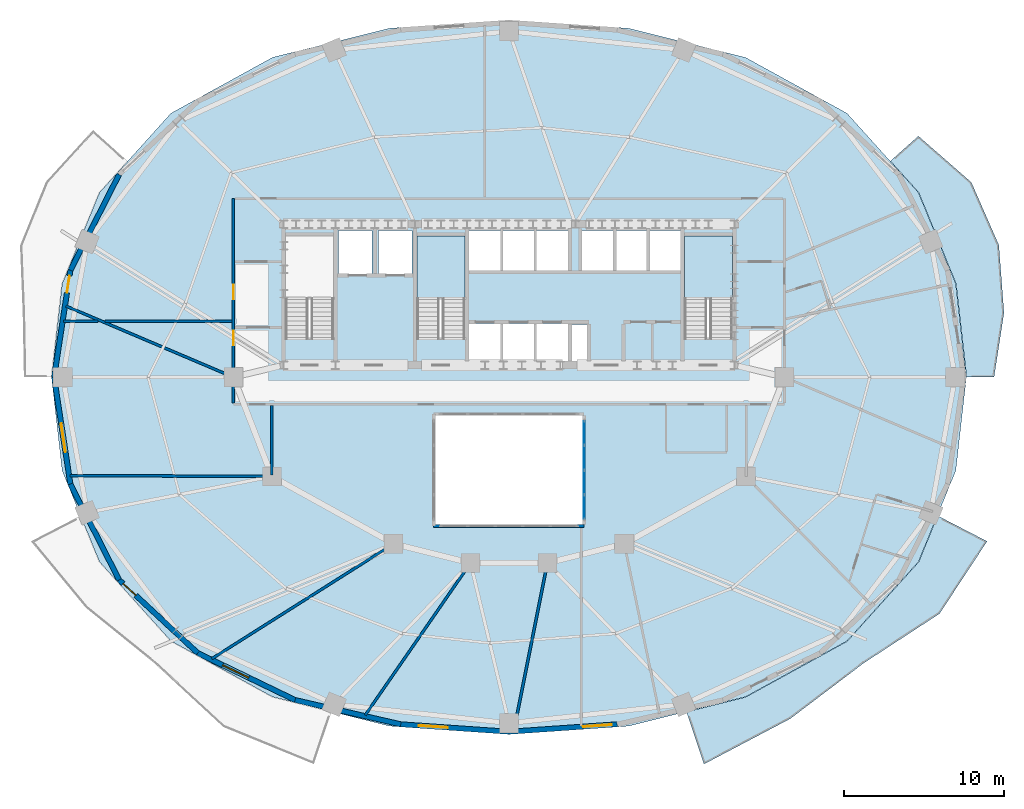
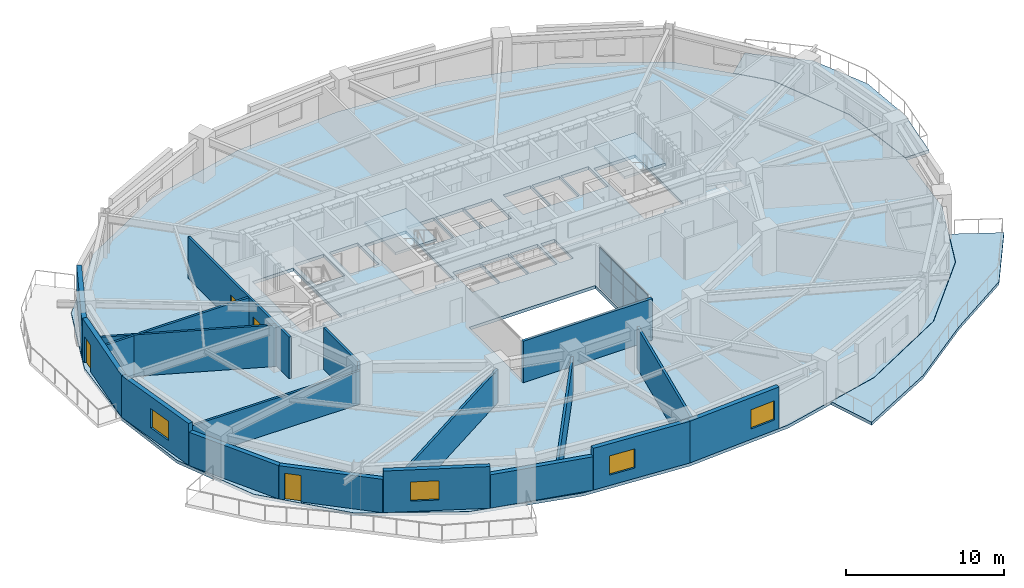
# One storey, part 6 of 12: 19 walls, 8 plates, 5 slabs, 4 doors, 4 windows, 8 openings, 3 elements without a shape of their own.
"""IFC4 building model written with IfcOpenShell, lengths in metres."""

from ifc_helpers import new_model, si_unit, direction, frame, frame_2d, origin, origin_2d, place, context, subcontext, project, spatial, polyline, rectangle, outline, extrude, material, layer, layer_set, type_object, element, fill, aggregate, save


model = new_model("IFC4")

# Units and contexts
model_context = context("Model", 3, precision=1e-05, world=origin(), true_north=direction((0.0, 1.0)))
body_context = subcontext(model_context, "Body", "Model", "MODEL_VIEW")
ifc_project = project(units=[si_unit("LENGTHUNIT", "METRE"), si_unit("AREAUNIT", "SQUARE_METRE"), si_unit("VOLUMEUNIT", "CUBIC_METRE"), si_unit("PLANEANGLEUNIT", "RADIAN"), si_unit("MASSUNIT", "GRAM", prefix="KILO")], contexts=[model_context])

# Site, building, storey
site_placement = place(None, origin())
site = spatial("IfcSite", under=ifc_project, at=site_placement, CompositionType="ELEMENT")
building_placement = place(site_placement, origin())
building = spatial("IfcBuilding", under=site, at=building_placement, Name="Haldorwick Loom Tower", CompositionType="ELEMENT")
storey_placement = place(building_placement, frame((0.0, 0.0, 110.449951171875)))
storey = spatial("IfcBuildingStorey", under=building, at=storey_placement, Name="L29", CompositionType="ELEMENT", Elevation=110.449951171875)

# Curtain wall, plates
ifc_material_1 = material(Name="Thermally Broken Anodized Aluminium Curtain Wall Framing", Category="aluminium")
curtain_wall_type = type_object("IfcCurtainWallType", Name="ARC-CW-03", PredefinedType="NOTDEFINED", material=ifc_material_1)
curtain_wall_placement = place(storey_placement, origin())
curtain_wall = element("IfcCurtainWall", 1, at=curtain_wall_placement, inside=storey, type_object=curtain_wall_type, Name="L29 Atrium Glazed Screen E", PredefinedType="NOTDEFINED")
ifc_material_2 = material(Name="Triple-Glazed Low-E Argon Insulated Glazing Unit", Category="glass")
ifc_layer_1 = layer(ifc_material_2, 0.04296875, Name="Triple-Glazed Low-E Argon Insulated Glazing Unit", Category="glass")
ifc_layer_set_1 = layer_set([ifc_layer_1], Name="Triple-Glazed Low-E Argon Insulated Glazing Unit")
plate_type = type_object("IfcPlateType", Name="ARC-CWP-03", PredefinedType="CURTAIN_PANEL", material=ifc_layer_set_1)
plate_1_placement = place(storey_placement, frame((40.699951171875, 22.508544921875, 0.066162109375), z_axis=(0.0, 0.0, 1.0), x_axis=(0.0, -1.0, 0.0)))
plate_1 = element("IfcPlate", 2, at=plate_1_placement, type_object=plate_type, Name="CW-03 panel 1.1", PredefinedType="CURTAIN_PANEL", context=body_context, shape_type="SweptSolid", body=[
    extrude(rectangle(XDim=1.450927734375, YDim=0.04296875, at=origin_2d()), origin(), (0.0, 0.0, 1.0), 1.90087890625),
])
plate_2_placement = place(storey_placement, frame((40.699951171875, 22.508544921875, 2.033203125), z_axis=(0.0, 0.0, 1.0), x_axis=(0.0, -1.0, 0.0)))
plate_2 = element("IfcPlate", 3, at=plate_2_placement, type_object=plate_type, Name="CW-03 panel 1.2", PredefinedType="CURTAIN_PANEL", context=body_context, shape_type="SweptSolid", body=[
    extrude(rectangle(XDim=1.450927734375, YDim=0.04296875, at=origin_2d()), origin(), (0.0, 0.0, 1.0), 1.111083984375),
])
plate_3_placement = place(storey_placement, frame((40.699951171875, 20.97509765625, 0.066162109375), z_axis=(0.0, 0.0, 1.0), x_axis=(0.0, -1.0, 0.0)))
plate_3 = element("IfcPlate", 4, at=plate_3_placement, type_object=plate_type, Name="CW-03 panel 2.1", PredefinedType="CURTAIN_PANEL", context=body_context, shape_type="SweptSolid", body=[
    extrude(rectangle(XDim=1.48388671875, YDim=0.04296875, at=origin_2d()), origin(), (0.0, 0.0, 1.0), 1.90087890625),
])
plate_4_placement = place(storey_placement, frame((40.699951171875, 20.97509765625, 2.033203125), z_axis=(0.0, 0.0, 1.0), x_axis=(0.0, -1.0, 0.0)))
plate_4 = element("IfcPlate", 5, at=plate_4_placement, type_object=plate_type, Name="CW-03 panel 2.2", PredefinedType="CURTAIN_PANEL", context=body_context, shape_type="SweptSolid", body=[
    extrude(rectangle(XDim=1.48388671875, YDim=0.04296875, at=origin_2d()), origin(), (0.0, 0.0, 1.0), 1.111083984375),
])
plate_5_placement = place(storey_placement, frame((40.699951171875, 19.425048828125, 0.066162109375), z_axis=(0.0, 0.0, 1.0), x_axis=(0.0, -1.0, 0.0)))
plate_5 = element("IfcPlate", 6, at=plate_5_placement, type_object=plate_type, Name="CW-03 panel 3.1", PredefinedType="CURTAIN_PANEL", context=body_context, shape_type="SweptSolid", body=[
    extrude(rectangle(XDim=1.48388671875, YDim=0.04296875, at=origin_2d()), origin(), (0.0, 0.0, 1.0), 1.90087890625),
])
plate_6_placement = place(storey_placement, frame((40.699951171875, 19.425048828125, 2.033203125), z_axis=(0.0, 0.0, 1.0), x_axis=(0.0, -1.0, 0.0)))
plate_6 = element("IfcPlate", 7, at=plate_6_placement, type_object=plate_type, Name="CW-03 panel 3.2", PredefinedType="CURTAIN_PANEL", context=body_context, shape_type="SweptSolid", body=[
    extrude(rectangle(XDim=1.48388671875, YDim=0.04296875, at=origin_2d()), origin(), (0.0, 0.0, 1.0), 1.111083984375),
])
plate_7_placement = place(storey_placement, frame((40.699951171875, 17.8916015625, 0.066162109375), z_axis=(0.0, 0.0, 1.0), x_axis=(0.0, -1.0, 0.0)))
plate_7 = element("IfcPlate", 8, at=plate_7_placement, type_object=plate_type, Name="CW-03 panel 4.1", PredefinedType="CURTAIN_PANEL", context=body_context, shape_type="SweptSolid", body=[
    extrude(rectangle(XDim=1.450927734375, YDim=0.04296875, at=origin_2d()), origin(), (0.0, 0.0, 1.0), 1.90087890625),
])
plate_8_placement = place(storey_placement, frame((40.699951171875, 17.8916015625, 2.033203125), z_axis=(0.0, 0.0, 1.0), x_axis=(0.0, -1.0, 0.0)))
plate_8 = element("IfcPlate", 9, at=plate_8_placement, type_object=plate_type, Name="CW-03 panel 4.2", PredefinedType="CURTAIN_PANEL", context=body_context, shape_type="SweptSolid", body=[
    extrude(rectangle(XDim=1.450927734375, YDim=0.04296875, at=origin_2d()), origin(), (0.0, 0.0, 1.0), 1.111083984375),
])
aggregate(curtain_wall, [plate_1, plate_2, plate_3, plate_4, plate_5, plate_6, plate_7, plate_8])

# Slabs
ifc_material_3 = material(Name="Concrete C40 (40 MPa)", Category="concrete")
ifc_layer_2 = layer(ifc_material_3, 0.239990234375, Name="Concrete C40 (40 MPa)", Category="concrete")
ifc_layer_set_2 = layer_set([ifc_layer_2], Name="Concrete C40 (40 MPa)")
slab_type_1 = type_object("IfcSlabType", Name="STR-SLB-BAL240", PredefinedType="FLOOR", material=ifc_layer_set_2)
slab_1_placement = place(storey_placement, frame((0.0, 0.0, -0.239990234375)))
element("IfcSlab", 10, at=slab_1_placement, inside=storey, type_object=slab_type_1, Name="L29 Sinusoidal Balcony Terrace BAL_SE", PredefinedType="FLOOR", context=body_context, shape_type="SweptSolid", body=[
    extrude(outline(polyline([(62.758544921875, 17.34814453125), (61.580078125, 14.468994140625), (61.579345703125, 14.4677734375), (61.578857421875, 14.466552734375), (61.578125, 14.465576171875), (61.5771484375, 14.464599609375), (57.11279296875, 9.51318359375), (57.11181640625, 9.51220703125), (57.1103515625, 9.510986328125), (57.10888671875, 9.51025390625), (50.767822265625, 6.0244140625), (50.7666015625, 6.023681640625), (50.765380859375, 6.023193359375), (50.76416015625, 6.022705078125), (47.08642578125, 5.10498046875), (48.174560546875, 1.84326171875), (53.555908203125, 4.676025390625), (58.164306640625, 8.16259765625), (62.8779296875, 11.235107421875), (65.848388671875, 15.751708984375), (62.758544921875, 17.34814453125)])), origin(), (0.0, 0.0, 1.0), 0.239990234375),
])
slab_2_placement = place(storey_placement, frame((0.0, 0.0, -0.239990234375)))
element("IfcSlab", 11, at=slab_2_placement, inside=storey, type_object=slab_type_1, Name="L29 Sinusoidal Balcony Terrace BAL_ENE", PredefinedType="FLOOR", context=body_context, shape_type="SweptSolid", body=[
    extrude(outline(polyline([(59.813720703125, 39.4912109375), (61.5771484375, 37.535400390625), (61.578125, 37.534423828125), (61.578857421875, 37.533447265625), (61.579345703125, 37.5322265625), (61.580078125, 37.531005859375), (63.90869140625, 31.841796875), (63.9091796875, 31.840576171875), (63.909423828125, 31.83935546875), (63.90966796875, 31.837890625), (64.572509765625, 26.001708984375), (64.572509765625, 26.0), (66.2841796875, 26.0), (66.90478515625, 30.026123046875), (66.58251953125, 34.246337890625), (64.864501953125, 38.163818359375), (61.560302734375, 41.05126953125), (59.813720703125, 39.4912109375)])), origin(), (0.0, 0.0, 1.0), 0.239990234375),
])

# Stair, slab
stair_type = type_object("IfcStairType", Name="STR-STR-CORE", PredefinedType="HALF_TURN_STAIR", material=ifc_material_3)
stair_1_placement = place(storey_placement, origin())
stair_1 = element("IfcStair", 12, at=stair_1_placement, inside=storey, type_object=stair_type, Name="L29 Exit Stair ST-02", PredefinedType="HALF_TURN_STAIR")
ifc_layer_3 = layer(ifc_material_3, 0.199951171875, Name="Concrete C40 (40 MPa)", Category="concrete")
ifc_layer_set_3 = layer_set([ifc_layer_3], Name="Concrete C40 (40 MPa)")
slab_type_2 = type_object("IfcSlabType", Name="STR-SLB-LAND200", PredefinedType="LANDING", material=ifc_layer_set_3)
slab_3_placement = place(storey_placement, frame((0.0, 0.0, 1.525146484375)))
slab_3 = element("IfcSlab", 13, at=slab_3_placement, type_object=slab_type_2, Name="ST-02 landing 1", PredefinedType="LANDING", context=body_context, shape_type="SweptSolid", body=[
    extrude(outline(polyline([(49.949951171875, 30.919921875), (49.949951171875, 34.800048828125), (46.949951171875, 34.800048828125), (46.949951171875, 30.919921875), (49.949951171875, 30.919921875)])), origin(), (0.0, 0.0, 1.0), 0.199951171875),
])
aggregate(stair_1, [slab_3])

stair_2_placement = place(storey_placement, origin())
stair_2 = element("IfcStair", 14, at=stair_2_placement, inside=storey, type_object=stair_type, Name="L29 Exit Stair ST-03", PredefinedType="HALF_TURN_STAIR")
slab_4_placement = place(storey_placement, frame((0.0, 0.0, 1.525146484375)))
slab_4 = element("IfcSlab", 15, at=slab_4_placement, type_object=slab_type_2, Name="ST-03 landing 1", PredefinedType="LANDING", context=body_context, shape_type="SweptSolid", body=[
    extrude(outline(polyline([(33.25, 30.919921875), (33.25, 34.800048828125), (30.25, 34.800048828125), (30.25, 30.919921875), (33.25, 30.919921875)])), origin(), (0.0, 0.0, 1.0), 0.199951171875),
])
aggregate(stair_2, [slab_4])

# Slab
ifc_layer_4 = layer(ifc_material_3, 0.239990234375, Name="Concrete C40 (40 MPa)", Category="concrete")
ifc_layer_set_4 = layer_set([ifc_layer_4], Name="Concrete C40 (40 MPa)")
slab_type_3 = type_object("IfcSlabType", Name="STR-SLB-RES240", PredefinedType="FLOOR", material=ifc_layer_set_4)
slab_5_placement = place(storey_placement, frame((0.0, 0.0, -0.239990234375)))
element("IfcSlab", 16, at=slab_5_placement, inside=storey, type_object=slab_type_3, Name="L29 Residential Structural Floor Slab", PredefinedType="FLOOR", context=body_context, shape_type="SweptSolid", body=[
    extrude(outline(polyline([(57.101806640625, 9.523193359375), (61.566162109375, 14.474609375), (63.894775390625, 20.163818359375), (64.5576171875, 26.0), (63.894775390625, 31.836181640625), (61.566162109375, 37.525390625), (57.101806640625, 42.476806640625), (50.760498046875, 45.962646484375), (43.474365234375, 47.781005859375), (36.0, 48.29833984375), (28.525634765625, 47.781005859375), (21.239501953125, 45.962646484375), (14.898193359375, 42.476806640625), (10.433837890625, 37.525390625), (8.105224609375, 31.836181640625), (7.4423828125, 26.0), (8.105224609375, 20.163818359375), (10.433837890625, 14.474609375), (14.898193359375, 9.523193359375), (21.239501953125, 6.037353515625), (28.525634765625, 4.218994140625), (36.0, 3.70166015625), (43.474365234375, 4.218994140625), (50.760498046875, 6.037353515625), (57.101806640625, 9.523193359375)]), holes=[polyline([(31.39990234375, 23.60009765625), (40.60009765625, 23.60009765625), (40.60009765625, 16.800048828125), (31.39990234375, 16.800048828125), (31.39990234375, 23.60009765625)]), polyline([(33.5, 26.85009765625), (33.5, 29.35009765625), (35.5, 29.35009765625), (35.5, 26.85009765625), (33.5, 26.85009765625)]), polyline([(22.050048828125, 28.39990234375), (22.050048828125, 34.800048828125), (25.050048828125, 34.800048828125), (25.050048828125, 28.639892578125), (23.6201171875, 28.639892578125), (23.6201171875, 28.39990234375), (22.050048828125, 28.39990234375)]), polyline([(30.25, 28.39990234375), (30.25, 34.800048828125), (33.25, 34.800048828125), (33.25, 28.639892578125), (31.820068359375, 28.639892578125), (31.820068359375, 28.39990234375), (30.25, 28.39990234375)]), polyline([(25.35009765625, 32.449951171875), (25.35009765625, 35.14990234375), (27.449951171875, 35.14990234375), (27.449951171875, 32.449951171875), (25.35009765625, 32.449951171875)]), polyline([(27.85009765625, 32.449951171875), (27.85009765625, 35.14990234375), (29.949951171875, 35.14990234375), (29.949951171875, 32.449951171875), (27.85009765625, 32.449951171875)]), polyline([(33.5, 32.64990234375), (33.5, 35.14990234375), (35.5, 35.14990234375), (35.5, 32.64990234375), (33.5, 32.64990234375)]), polyline([(35.60009765625, 32.64990234375), (35.60009765625, 35.14990234375), (37.60009765625, 35.14990234375), (37.60009765625, 32.64990234375), (35.60009765625, 32.64990234375)]), polyline([(35.60009765625, 26.85009765625), (35.60009765625, 29.35009765625), (37.60009765625, 29.35009765625), (37.60009765625, 26.85009765625), (35.60009765625, 26.85009765625)]), polyline([(37.699951171875, 26.85009765625), (37.699951171875, 29.35009765625), (39.699951171875, 29.35009765625), (39.699951171875, 26.85009765625), (37.699951171875, 26.85009765625)]), polyline([(39.89990234375, 26.89990234375), (39.89990234375, 29.300048828125), (40.89990234375, 29.300048828125), (40.89990234375, 26.89990234375), (39.89990234375, 26.89990234375)]), polyline([(46.949951171875, 28.39990234375), (46.949951171875, 34.800048828125), (49.949951171875, 34.800048828125), (49.949951171875, 28.639892578125), (48.52001953125, 28.639892578125), (48.52001953125, 28.39990234375), (46.949951171875, 28.39990234375)]), polyline([(37.699951171875, 32.64990234375), (37.699951171875, 35.14990234375), (39.699951171875, 35.14990234375), (39.699951171875, 32.64990234375), (37.699951171875, 32.64990234375)]), polyline([(40.550048828125, 32.64990234375), (40.550048828125, 35.14990234375), (42.550048828125, 35.14990234375), (42.550048828125, 32.64990234375), (40.550048828125, 32.64990234375)]), polyline([(42.64990234375, 32.64990234375), (42.64990234375, 35.14990234375), (44.64990234375, 35.14990234375), (44.64990234375, 32.64990234375), (42.64990234375, 32.64990234375)]), polyline([(44.75, 32.64990234375), (44.75, 35.14990234375), (46.75, 35.14990234375), (46.75, 32.64990234375), (44.75, 32.64990234375)])]), origin(), (0.0, 0.0, 1.0), 0.239990234375),
])

# Wall
ifc_material_4 = material(Name="Pressed Clay Face Brick and Insulated Masonry Backup Assembly", Category="masonry")
ifc_layer_5 = layer(ifc_material_4, 0.320068359375, Name="Pressed Clay Face Brick and Insulated Masonry Backup Assembly", Category="masonry")
ifc_layer_set_5 = layer_set([ifc_layer_5], Name="Pressed Clay Face Brick and Insulated Masonry Backup Assembly")
wall_type_1 = type_object("IfcWallType", Name="ARC-WL-EXT320", PredefinedType="STANDARD", material=ifc_layer_set_5)
wall_1_placement = place(storey_placement, frame((11.661376953125, 38.655517578125, 0.0), z_axis=(0.0, 0.0, 1.0), x_axis=(-0.453374078001, -0.89132033826, 0.0)))
element("IfcWall", 17, at=wall_1_placement, inside=storey, type_object=wall_type_1, Name="L29 Brick Pier and Spandrel Wall 11", PredefinedType="STANDARD", context=body_context, shape_type="SweptSolid", body=[
    extrude(rectangle(XDim=6.709716796875, YDim=0.320068359375, at=frame_2d((3.35498046875, 0.0))), origin(), (0.0, 0.0, 1.0), 2.569091796875),
])

# Wall, opening, door
wall_2_placement = place(storey_placement, frame((8.619384765625, 32.675048828125, 0.0), z_axis=(0.0, 0.0, 1.0), x_axis=(-0.150633288003, -0.988589708901, 0.0)))
wall_2 = element("IfcWall", 18, at=wall_2_placement, inside=storey, type_object=wall_type_1, Name="L29 Brick Pier and Spandrel Wall 12", PredefinedType="STANDARD", context=body_context, shape_type="SweptSolid", body=[
    extrude(rectangle(XDim=6.752197265625, YDim=0.320068359375, at=frame_2d((3.3759765625, 0.0))), origin(), (0.0, 0.0, 1.0), 3.2099609375),
])
opening_1_placement = place(wall_2_placement, frame((0.340087890625, 0.0, 0.0)))
opening_1 = element("IfcOpeningElement", 19, at=opening_1_placement, cuts=wall_2, Name="Opening D-BL11", PredefinedType="OPENING", context=body_context, shape_type="SweptSolid", body=[
    extrude(rectangle(XDim=1.080078125, YDim=2.0400390625, at=frame_2d((0.5400390625, 1.02001953125))), frame((0.0, 0.169921875, 0.0), z_axis=(0.0, -1.0, 0.0), x_axis=(1.0, 0.0, 0.0)), (0.0, 0.0, 1.0), 0.340087890625),
])
door_type_1 = type_object("IfcDoorType", Name="ARC-DR-BAL110", OperationType="NOTDEFINED", PredefinedType="DOOR", material=ifc_material_1)
door_1_placement = place(opening_1_placement, origin())
door_1 = element("IfcDoor", 20, at=door_1_placement, inside=storey, type_object=door_type_1, Name="L29 Outdoor Terrace Door SLB-L29-BAL_WNW", OperationType="SINGLE_SWING_RIGHT", OverallHeight=2.0400390625, OverallWidth=1.080078125, PredefinedType="DOOR", context=body_context, shape_type="SweptSolid", body=[
    extrude(rectangle(XDim=1.080078125, YDim=2.0400390625, at=frame_2d((0.5400390625, 1.02001953125))), frame((0.0, 0.02490234375, 0.0), z_axis=(0.0, -1.0, 0.0), x_axis=(1.0, 0.0, 0.0)), (0.0, 0.0, 1.0), 0.050048828125),
])
fill(opening_1, door_1)

# Wall, opening, window
wall_3_placement = place(storey_placement, frame((7.602294921875, 26.0, 0.0), z_axis=(0.0, 0.0, 1.0), x_axis=(0.150633288003, -0.988589708901, 0.0)))
wall_3 = element("IfcWall", 21, at=wall_3_placement, inside=storey, type_object=wall_type_1, Name="L29 Brick Pier and Spandrel Wall 13", PredefinedType="STANDARD", context=body_context, shape_type="SweptSolid", body=[
    extrude(rectangle(XDim=6.752197265625, YDim=0.320068359375, at=frame_2d((3.3759765625, 0.0))), origin(), (0.0, 0.0, 1.0), 3.2099609375),
])
opening_2_placement = place(wall_3_placement, frame((2.92724609375, 0.0, 0.800048828125)))
opening_2 = element("IfcOpeningElement", 22, at=opening_2_placement, cuts=wall_3, Name="Opening W-01", PredefinedType="OPENING", context=body_context, shape_type="SweptSolid", body=[
    extrude(rectangle(XDim=1.800048828125, YDim=1.47998046875, at=frame_2d((0.89990234375, 0.739990234375))), frame((0.0, 0.169921875, 0.0), z_axis=(0.0, -1.0, 0.0), x_axis=(1.0, 0.0, 0.0)), (0.0, 0.0, 1.0), 0.340087890625),
])
window_type = type_object("IfcWindowType", Name="ARC-WIN-W180", PartitioningType="SINGLE_PANEL", PredefinedType="WINDOW", material=ifc_material_2)
window_1_placement = place(opening_2_placement, origin())
window_1 = element("IfcWindow", 23, at=window_1_placement, inside=storey, type_object=window_type, Name="L29 Deep-Set Zone 7A Window 13", OverallHeight=1.47998046875, OverallWidth=1.800048828125, PartitioningType="SINGLE_PANEL", PredefinedType="WINDOW", context=body_context, shape_type="SweptSolid", body=[
    extrude(rectangle(XDim=1.800048828125, YDim=1.47998046875, at=frame_2d((0.89990234375, 0.739990234375))), frame((0.0, 0.030029296875, 0.0), z_axis=(0.0, -1.0, 0.0), x_axis=(1.0, 0.0, 0.0)), (0.0, 0.0, 1.0), 0.06005859375),
])
fill(opening_2, window_1)

# Wall
wall_4_placement = place(storey_placement, frame((8.619384765625, 19.324951171875, 0.0), z_axis=(0.0, 0.0, 1.0), x_axis=(0.453374078001, -0.89132033826, 0.0)))
element("IfcWall", 24, at=wall_4_placement, inside=storey, type_object=wall_type_1, Name="L29 Brick Pier and Spandrel Wall 14", PredefinedType="STANDARD", context=body_context, shape_type="SweptSolid", body=[
    extrude(rectangle(XDim=6.709716796875, YDim=0.320068359375, at=frame_2d((3.35498046875, 0.0))), origin(), (0.0, 0.0, 1.0), 2.569091796875),
])

# Wall, opening, door
wall_5_placement = place(storey_placement, frame((11.661376953125, 13.344482421875, 0.0), z_axis=(0.0, 0.0, 1.0), x_axis=(0.732137360086, -0.681157020052, 0.0)))
wall_5 = element("IfcWall", 25, at=wall_5_placement, inside=storey, type_object=wall_type_1, Name="L29 Brick Pier and Spandrel Wall 15", PredefinedType="STANDARD", context=body_context, shape_type="SweptSolid", body=[
    extrude(rectangle(XDim=6.709228515625, YDim=0.320068359375, at=frame_2d((3.3544921875, 0.0))), origin(), (0.0, 0.0, 1.0), 2.569091796875),
])
opening_3_placement = place(wall_5_placement, frame((0.340087890625, 0.0, 0.0)))
opening_3 = element("IfcOpeningElement", 26, at=opening_3_placement, cuts=wall_5, Name="Opening D-BL11", PredefinedType="OPENING", context=body_context, shape_type="SweptSolid", body=[
    extrude(rectangle(XDim=1.080078125, YDim=2.0400390625, at=frame_2d((0.5400390625, 1.02001953125))), frame((0.0, 0.169921875, 0.0), z_axis=(0.0, -1.0, 0.0), x_axis=(1.0, 0.0, 0.0)), (0.0, 0.0, 1.0), 0.340087890625),
])
door_2_placement = place(opening_3_placement, origin())
door_2 = element("IfcDoor", 27, at=door_2_placement, inside=storey, type_object=door_type_1, Name="L29 Outdoor Terrace Door SLB-L29-BAL_SW", OperationType="SINGLE_SWING_LEFT", OverallHeight=2.0400390625, OverallWidth=1.080078125, PredefinedType="DOOR", context=body_context, shape_type="SweptSolid", body=[
    extrude(rectangle(XDim=1.080078125, YDim=2.0400390625, at=frame_2d((0.5400390625, 1.02001953125))), frame((0.0, 0.02490234375, 0.0), z_axis=(0.0, -1.0, 0.0), x_axis=(1.0, 0.0, 0.0)), (0.0, 0.0, 1.0), 0.050048828125),
])
fill(opening_3, door_2)

# Wall, opening, window
wall_6_placement = place(storey_placement, frame((16.573486328125, 8.7744140625, 0.0), z_axis=(0.0, 0.0, 1.0), x_axis=(0.900510094661, -0.434835106004, 0.0)))
wall_6 = element("IfcWall", 28, at=wall_6_placement, inside=storey, type_object=wall_type_1, Name="L29 Brick Pier and Spandrel Wall 16", PredefinedType="STANDARD", context=body_context, shape_type="SweptSolid", body=[
    extrude(rectangle(XDim=6.744873046875, YDim=0.320068359375, at=frame_2d((3.37255859375, 0.0))), origin(), (0.0, 0.0, 1.0), 3.2099609375),
])
opening_4_placement = place(wall_6_placement, frame((1.7216796875, 0.0, 0.800048828125)))
opening_4 = element("IfcOpeningElement", 29, at=opening_4_placement, cuts=wall_6, Name="Opening W-01", PredefinedType="OPENING", context=body_context, shape_type="SweptSolid", body=[
    extrude(rectangle(XDim=1.800048828125, YDim=1.47998046875, at=frame_2d((0.89990234375, 0.739990234375))), frame((0.0, 0.169921875, 0.0), z_axis=(0.0, -1.0, 0.0), x_axis=(1.0, 0.0, 0.0)), (0.0, 0.0, 1.0), 0.340087890625),
])
window_2_placement = place(opening_4_placement, origin())
window_2 = element("IfcWindow", 30, at=window_2_placement, inside=storey, type_object=window_type, Name="L29 Deep-Set Zone 7A Window 16", OverallHeight=1.47998046875, OverallWidth=1.800048828125, PartitioningType="SINGLE_PANEL", PredefinedType="WINDOW", context=body_context, shape_type="SweptSolid", body=[
    extrude(rectangle(XDim=1.800048828125, YDim=1.47998046875, at=frame_2d((0.89990234375, 0.739990234375))), frame((0.0, 0.030029296875, 0.0), z_axis=(0.0, -1.0, 0.0), x_axis=(1.0, 0.0, 0.0)), (0.0, 0.0, 1.0), 0.06005859375),
])
fill(opening_4, window_2)

# Wall
wall_7_placement = place(storey_placement, frame((22.647216796875, 5.841552734375, 0.0), z_axis=(0.0, 0.0, 1.0), x_axis=(0.974584177714, -0.224021607329, 0.0)))
element("IfcWall", 31, at=wall_7_placement, inside=storey, type_object=wall_type_1, Name="L29 Brick Pier and Spandrel Wall 17", PredefinedType="STANDARD", context=body_context, shape_type="SweptSolid", body=[
    extrude(rectangle(XDim=6.767822265625, YDim=0.320068359375, at=frame_2d((3.3837890625, 0.0))), origin(), (0.0, 0.0, 1.0), 2.569091796875),
])

# Wall, opening, window
wall_8_placement = place(storey_placement, frame((29.242919921875, 4.325439453125, 0.0), z_axis=(0.0, 0.0, 1.0), x_axis=(0.997651949344, -0.068487867318, 0.0)))
wall_8 = element("IfcWall", 32, at=wall_8_placement, inside=storey, type_object=wall_type_1, Name="L29 Brick Pier and Spandrel Wall 18", PredefinedType="STANDARD", context=body_context, shape_type="SweptSolid", body=[
    extrude(rectangle(XDim=6.77294921875, YDim=0.320068359375, at=frame_2d((3.386474609375, 0.0))), origin(), (0.0, 0.0, 1.0), 3.2099609375),
])
opening_5_placement = place(wall_8_placement, frame((1.1318359375, 0.0, 0.800048828125)))
opening_5 = element("IfcOpeningElement", 33, at=opening_5_placement, cuts=wall_8, Name="Opening W-01", PredefinedType="OPENING", context=body_context, shape_type="SweptSolid", body=[
    extrude(rectangle(XDim=1.800048828125, YDim=1.47998046875, at=frame_2d((0.89990234375, 0.739990234375))), frame((0.0, 0.169921875, 0.0), z_axis=(0.0, -1.0, 0.0), x_axis=(1.0, 0.0, 0.0)), (0.0, 0.0, 1.0), 0.340087890625),
])
window_3_placement = place(opening_5_placement, origin())
window_3 = element("IfcWindow", 34, at=window_3_placement, inside=storey, type_object=window_type, Name="L29 Deep-Set Zone 7A Window 18", OverallHeight=1.47998046875, OverallWidth=1.800048828125, PartitioningType="SINGLE_PANEL", PredefinedType="WINDOW", context=body_context, shape_type="SweptSolid", body=[
    extrude(rectangle(XDim=1.800048828125, YDim=1.47998046875, at=frame_2d((0.89990234375, 0.739990234375))), frame((0.0, 0.030029296875, 0.0), z_axis=(0.0, -1.0, 0.0), x_axis=(1.0, 0.0, 0.0)), (0.0, 0.0, 1.0), 0.06005859375),
])
fill(opening_5, window_3)

wall_9_placement = place(storey_placement, frame((36.0, 3.861572265625, 0.0), z_axis=(0.0, 0.0, 1.0), x_axis=(0.997651949344, 0.068487867318, 0.0)))
wall_9 = element("IfcWall", 35, at=wall_9_placement, inside=storey, type_object=wall_type_1, Name="L29 Brick Pier and Spandrel Wall 19", PredefinedType="STANDARD", context=body_context, shape_type="SweptSolid", body=[
    extrude(rectangle(XDim=6.77294921875, YDim=0.320068359375, at=frame_2d((3.386474609375, 0.0))), origin(), (0.0, 0.0, 1.0), 3.2099609375),
])
opening_6_placement = place(wall_9_placement, frame((4.633056640625, 0.0, 0.800048828125)))
opening_6 = element("IfcOpeningElement", 36, at=opening_6_placement, cuts=wall_9, Name="Opening W-01", PredefinedType="OPENING", context=body_context, shape_type="SweptSolid", body=[
    extrude(rectangle(XDim=1.800048828125, YDim=1.47998046875, at=frame_2d((0.89990234375, 0.739990234375))), frame((0.0, 0.169921875, 0.0), z_axis=(0.0, -1.0, 0.0), x_axis=(1.0, 0.0, 0.0)), (0.0, 0.0, 1.0), 0.340087890625),
])
window_4_placement = place(opening_6_placement, origin())
window_4 = element("IfcWindow", 37, at=window_4_placement, inside=storey, type_object=window_type, Name="L29 Deep-Set Zone 7A Window 19", OverallHeight=1.47998046875, OverallWidth=1.800048828125, PartitioningType="SINGLE_PANEL", PredefinedType="WINDOW", context=body_context, shape_type="SweptSolid", body=[
    extrude(rectangle(XDim=1.800048828125, YDim=1.47998046875, at=frame_2d((0.89990234375, 0.739990234375))), frame((0.0, 0.030029296875, 0.0), z_axis=(0.0, -1.0, 0.0), x_axis=(1.0, 0.0, 0.0)), (0.0, 0.0, 1.0), 0.06005859375),
])
fill(opening_6, window_4)

# Wall, openings, doors
ifc_material_5 = material(Name="Fire-Rated Type X Gypsum Stud Assembly EI 60")
ifc_layer_6 = layer(ifc_material_5, 0.159912109375, Name="Fire-Rated Type X Gypsum Stud Assembly EI 60")
ifc_layer_set_6 = layer_set([ifc_layer_6], Name="Fire-Rated Type X Gypsum Stud Assembly EI 60")
wall_type_2 = type_object("IfcWallType", Name="ARC-WL-FIRE160", PredefinedType="PARTITIONING", material=ifc_layer_set_6)
wall_10_placement = place(storey_placement, frame((18.800048828125, 24.383056640625, 0.0), z_axis=(0.0, 0.0, 1.0), x_axis=(0.0, 1.0, 0.0)))
wall_10 = element("IfcWall", 38, at=wall_10_placement, inside=storey, type_object=wall_type_2, Name="L29 Residential Fire Partition L29-CR-W0", PredefinedType="PARTITIONING", context=body_context, shape_type="SweptSolid", body=[
    extrude(rectangle(XDim=12.766845703125, YDim=0.159912109375, at=frame_2d((6.38330078125, 0.0))), origin(), (0.0, 0.0, 1.0), 3.195068359375),
])
opening_7_placement = place(wall_10_placement, frame((6.48388671875, 0.0, 0.0)))
opening_7 = element("IfcOpeningElement", 39, at=opening_7_placement, cuts=wall_10, Name="Opening D-FD60A", PredefinedType="OPENING", context=body_context, shape_type="SweptSolid", body=[
    extrude(rectangle(XDim=0.89990234375, YDim=2.0, at=frame_2d((0.449951171875, 1.0))), frame((0.0, 0.08984375, 0.0), z_axis=(0.0, -1.0, 0.0), x_axis=(1.0, 0.0, 0.0)), (0.0, 0.0, 1.0), 0.179931640625),
])
opening_8_placement = place(wall_10_placement, frame((3.62158203125, 0.0, 0.0)))
opening_8 = element("IfcOpeningElement", 40, at=opening_8_placement, cuts=wall_10, Name="Opening D-FD60A", PredefinedType="OPENING", context=body_context, shape_type="SweptSolid", body=[
    extrude(rectangle(XDim=0.89990234375, YDim=2.0, at=frame_2d((0.449951171875, 1.0))), frame((0.0, 0.08984375, 0.0), z_axis=(0.0, -1.0, 0.0), x_axis=(1.0, 0.0, 0.0)), (0.0, 0.0, 1.0), 0.179931640625),
])
ifc_material_6 = material(Name="Hollow Steel Fire Door Assembly", Category="steel")
door_type_2 = type_object("IfcDoorType", Name="ARC-DR-FD60-90", OperationType="NOTDEFINED", PredefinedType="DOOR", material=ifc_material_6)
door_3_placement = place(opening_7_placement, origin())
door_3 = element("IfcDoor", 41, at=door_3_placement, inside=storey, type_object=door_type_2, Name="L29 Tenant Seminar Meeting Room 6 to L29 West Residential Corridor Door", OperationType="SINGLE_SWING_RIGHT", OverallHeight=2.0, OverallWidth=0.89990234375, PredefinedType="DOOR", context=body_context, shape_type="SweptSolid", body=[
    extrude(rectangle(XDim=0.89990234375, YDim=2.0, at=frame_2d((0.449951171875, 1.0))), frame((0.0, 0.02490234375, 0.0), z_axis=(0.0, -1.0, 0.0), x_axis=(1.0, 0.0, 0.0)), (0.0, 0.0, 1.0), 0.050048828125),
])
fill(opening_7, door_3)
door_4_placement = place(opening_8_placement, frame((0.89990234375, 0.0, 0.0), z_axis=(0.0, 0.0, 1.0), x_axis=(-1.0, 0.0, 0.0)))
door_4 = element("IfcDoor", 42, at=door_4_placement, inside=storey, type_object=door_type_2, Name="L29 Community Library Room 1 to L29 Central Residential Corridor Door", OperationType="SINGLE_SWING_LEFT", OverallHeight=2.0, OverallWidth=0.89990234375, PredefinedType="DOOR", context=body_context, shape_type="SweptSolid", body=[
    extrude(rectangle(XDim=0.89990234375, YDim=2.0, at=frame_2d((0.449951171875, 1.0))), frame((0.0, 0.02490234375, 0.0), z_axis=(0.0, -1.0, 0.0), x_axis=(1.0, 0.0, 0.0)), (0.0, 0.0, 1.0), 0.050048828125),
])
fill(opening_8, door_4)

# Walls
wall_11_placement = place(storey_placement, frame((38.39990234375, 14.39990234375, 0.0), z_axis=(0.0, 0.0, 1.0), x_axis=(-0.196111730348, -0.980581556639, 0.0)))
element("IfcWall", 43, at=wall_11_placement, inside=storey, type_object=wall_type_2, Name="L29 Residential Fire Partition L29-ICR-07", PredefinedType="PARTITIONING", context=body_context, shape_type="SweptSolid", body=[
    extrude(rectangle(XDim=10.658935546875, YDim=0.159912109375, at=frame_2d((5.32958984375, 0.0))), origin(), (0.0, 0.0, 1.0), 3.195068359375),
])
wall_12_placement = place(storey_placement, frame((33.60009765625, 14.39990234375, 0.0), z_axis=(0.0, 0.0, 1.0), x_axis=(-0.569145134798, -0.822237079884, 0.0)))
element("IfcWall", 44, at=wall_12_placement, inside=storey, type_object=wall_type_2, Name="L29 Residential Fire Partition L29-ICR-09", PredefinedType="PARTITIONING", context=body_context, shape_type="SweptSolid", body=[
    extrude(rectangle(XDim=11.551513671875, YDim=0.159912109375, at=frame_2d((5.77587890625, 0.0))), origin(), (0.0, 0.0, 1.0), 2.568115234375),
])
wall_13_placement = place(storey_placement, frame((28.800048828125, 15.60009765625, 0.0), z_axis=(0.0, 0.0, 1.0), x_axis=(-0.845215765485, -0.53442521439, 0.0)))
element("IfcWall", 45, at=wall_13_placement, inside=storey, type_object=wall_type_2, Name="L29 Residential Fire Partition L29-ICR-11", PredefinedType="PARTITIONING", context=body_context, shape_type="SweptSolid", body=[
    extrude(rectangle(XDim=13.428955078125, YDim=0.159912109375, at=frame_2d((6.71435546875, 0.0))), origin(), (0.0, 0.0, 1.0), 2.568115234375),
])
wall_14_placement = place(storey_placement, frame((21.199951171875, 19.800048828125, 0.0), z_axis=(0.0, 0.0, 1.0), x_axis=(-0.999988908841, 0.004709797745, 0.0)))
element("IfcWall", 46, at=wall_14_placement, inside=storey, type_object=wall_type_2, Name="L29 Residential Fire Partition L29-ICR-13", PredefinedType="PARTITIONING", context=body_context, shape_type="SweptSolid", body=[
    extrude(rectangle(XDim=12.596435546875, YDim=0.159912109375, at=frame_2d((6.29833984375, 0.0))), origin(), (0.0, 0.0, 1.0), 2.568115234375),
])
wall_15_placement = place(storey_placement, frame((18.717041015625, 26.03515625, 0.0), z_axis=(0.0, 0.0, 1.0), x_axis=(-0.920498907927, 0.390745134973, 0.0)))
element("IfcWall", 47, at=wall_15_placement, inside=storey, type_object=wall_type_2, Name="L29 Residential Fire Partition L29-ICR-14", PredefinedType="PARTITIONING", context=body_context, shape_type="SweptSolid", body=[
    extrude(rectangle(XDim=11.268310546875, YDim=0.159912109375, at=frame_2d((5.63427734375, 0.0))), origin(), (0.0, 0.0, 1.0), 3.195068359375),
])
wall_16_placement = place(storey_placement, frame((21.199951171875, 24.217041015625, 0.0), z_axis=(0.0, 0.0, 1.0), x_axis=(0.0, -1.0, 0.0)))
element("IfcWall", 48, at=wall_16_placement, inside=storey, type_object=wall_type_2, Name="L29 Residential Fire Partition L29-ICA-12", PredefinedType="PARTITIONING", context=body_context, shape_type="SweptSolid", body=[
    extrude(rectangle(XDim=4.333984375, YDim=0.159912109375, at=frame_2d((2.1669921875, 0.0))), origin(), (0.0, 0.0, 1.0), 3.195068359375),
])
wall_17_placement = place(storey_placement, frame((8.201416015625, 29.5, 0.0), z_axis=(0.0, 0.0, 1.0), x_axis=(1.0, 0.0, 0.0)))
element("IfcWall", 49, at=wall_17_placement, inside=storey, type_object=wall_type_2, Name="L29 Residential Fire Partition L29-FLW-19", PredefinedType="PARTITIONING", context=body_context, shape_type="SweptSolid", body=[
    extrude(rectangle(XDim=2.140869140625, YDim=0.159912109375, at=frame_2d((1.0703125, 0.0))), origin(), (0.0, 0.0, 1.0), 3.195068359375),
])
wall_18_placement = place(storey_placement, frame((10.76708984375, 29.5, 0.0), z_axis=(0.0, 0.0, 1.0), x_axis=(1.0, 0.0, 0.0)))
element("IfcWall", 50, at=wall_18_placement, inside=storey, type_object=wall_type_2, Name="L29 Residential Fire Partition L29-FLW-19", PredefinedType="PARTITIONING", context=body_context, shape_type="SweptSolid", body=[
    extrude(rectangle(XDim=7.949951171875, YDim=0.159912109375, at=frame_2d((3.97509765625, 0.0))), origin(), (0.0, 0.0, 1.0), 3.195068359375),
])
ifc_material_7 = material(Name="Fire-Rated Type X Gypsum Stud Assembly EI 120")
ifc_layer_7 = layer(ifc_material_7, 0.199951171875, Name="Fire-Rated Type X Gypsum Stud Assembly EI 120")
ifc_layer_set_7 = layer_set([ifc_layer_7], Name="Fire-Rated Type X Gypsum Stud Assembly EI 120")
wall_type_3 = type_object("IfcWallType", Name="ARC-WL-FIRE200", PredefinedType="PARTITIONING", material=ifc_layer_set_7)
wall_19_placement = place(storey_placement, frame((40.699951171875, 16.699951171875, 0.0), z_axis=(0.0, 0.0, 1.0), x_axis=(-1.0, 0.0, 0.0)))
element("IfcWall", 51, at=wall_19_placement, inside=storey, type_object=wall_type_3, Name="L29 Atrium Fire Enclosure Wall S", PredefinedType="PARTITIONING", context=body_context, shape_type="SweptSolid", body=[
    extrude(rectangle(XDim=9.39990234375, YDim=0.199951171875, at=frame_2d((4.699951171875, 0.0))), origin(), (0.0, 0.0, 1.0), 3.195068359375),
])

save(model, "model.ifc")
